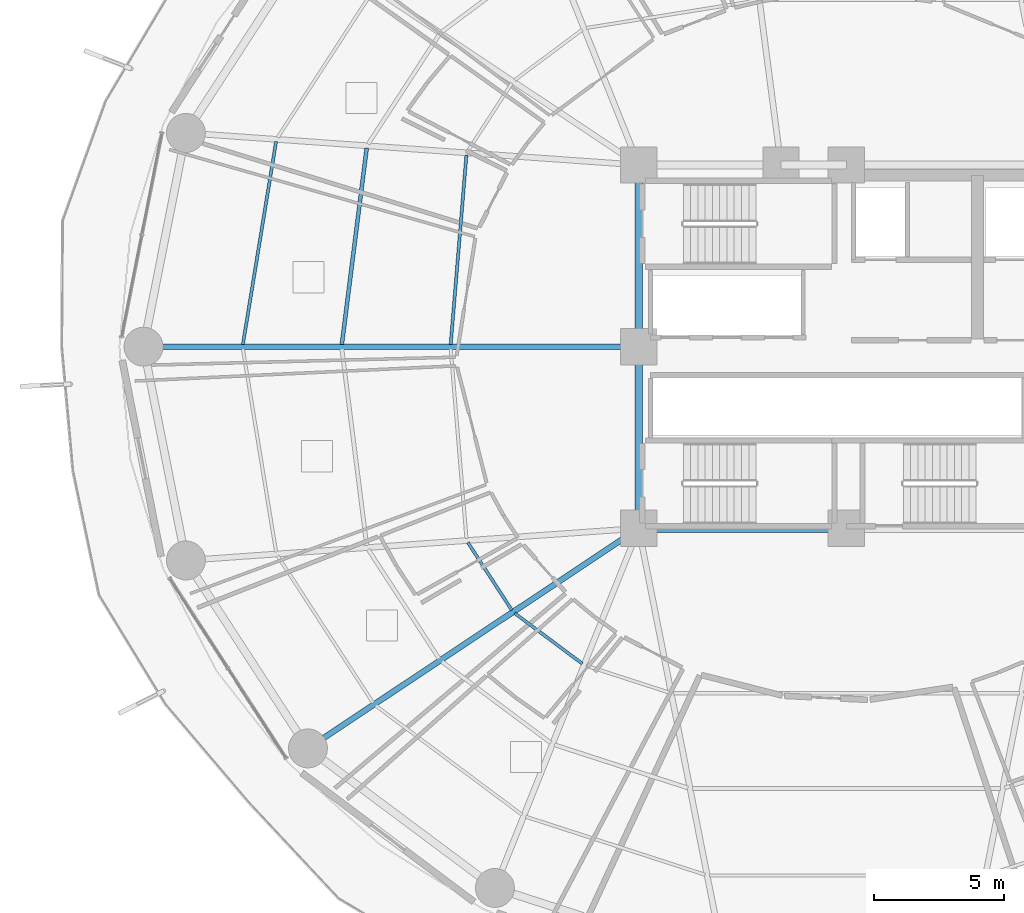
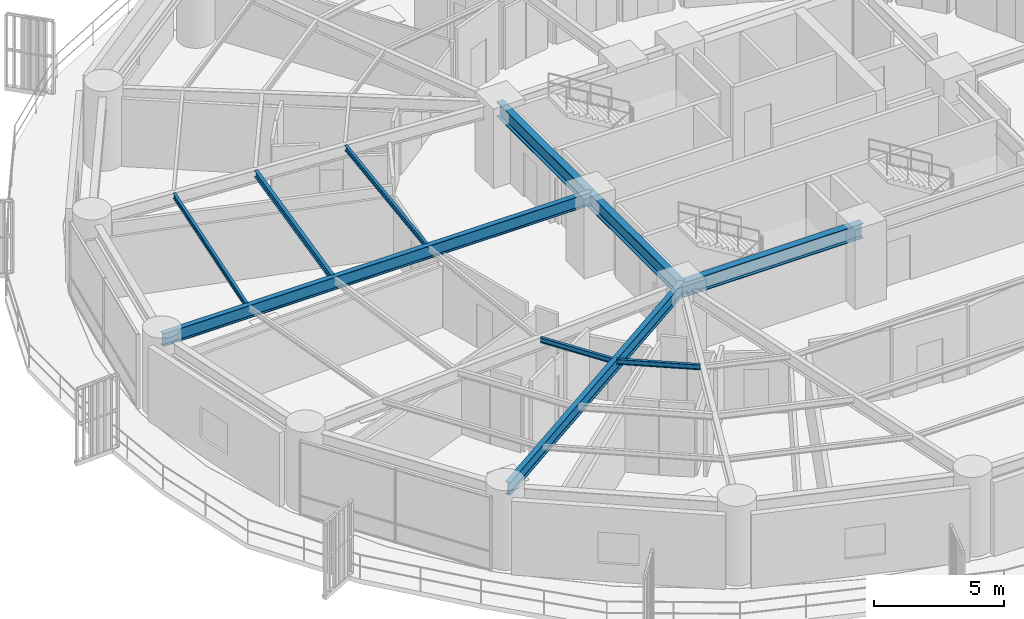
# One storey, part 7 of 33: 10 beams.
"""IFC4 building model written with IfcOpenShell, lengths in metres."""

from ifc_helpers import new_model, si_unit, direction, frame, origin, origin_2d, place, context, subcontext, project, spatial, i_section, extrude, material, material_profile, profile_set, type_object, element, save


model = new_model("IFC4")

# Units and contexts
model_context = context("Model", 3, precision=1e-05, world=origin(), true_north=direction((0.0, 1.0)))
body_context = subcontext(model_context, "Body", "Model", "MODEL_VIEW")
ifc_project = project(units=[si_unit("LENGTHUNIT", "METRE"), si_unit("AREAUNIT", "SQUARE_METRE"), si_unit("VOLUMEUNIT", "CUBIC_METRE"), si_unit("PLANEANGLEUNIT", "RADIAN"), si_unit("MASSUNIT", "GRAM", prefix="KILO")], contexts=[model_context])

# Site, building, storey
site_placement = place(None, origin())
site = spatial("IfcSite", under=ifc_project, at=site_placement, CompositionType="ELEMENT")
building_placement = place(site_placement, origin())
building = spatial("IfcBuilding", under=site, at=building_placement, Name="Kelanora Arch Commons", CompositionType="ELEMENT")
storey_placement = place(building_placement, frame((0.0, 0.0, 37.5)))
storey = spatial("IfcBuildingStorey", under=building, at=storey_placement, Name="L09", CompositionType="ELEMENT", Elevation=37.5)

# Beams
ifc_material = material(Name="Steel S355", Category="steel")
ifc_material_profile_1 = material_profile(ifc_material, i_section(OverallWidth=0.300048828125, OverallDepth=0.699951171875, WebThickness=0.01708984375, FlangeThickness=0.031982421875, FilletRadius=0.027099609375, at=origin_2d()), Name="HEB700")
ifc_profile_set_1 = profile_set([ifc_material_profile_1], Name="Steel S355")
beam_type_1 = type_object("IfcBeamType", Name="BM-CORE-HDR", PredefinedType="BEAM", material=ifc_profile_set_1)
beam_1_placement = place(storey_placement, frame((66.0, 51.0, 3.139892578125), z_axis=(1.0, 0.0, 0.0), x_axis=(0.0, 1.0, 0.0)))
element("IfcBeam", 1, at=beam_1_placement, inside=storey, type_object=beam_type_1, Name="Core Header Beam 01 L09", PredefinedType="BEAM", context=body_context, shape_type="SweptSolid", body=[
    extrude(i_section(OverallWidth=0.300048828125, OverallDepth=0.699951171875, WebThickness=0.01708984375, FlangeThickness=0.031982421875, FilletRadius=0.027099609375, at=origin_2d()), origin(), (0.0, 0.0, 1.0), 8.0),
])
for number, where, z_axis, x_axis, name in (
    (2, (66.0, 65.0, 3.139892578125), (0.0, -1.0, 0.0), (1.0, 0.0, 0.0), "Core Header Beam 08 L09"),
    (3, (66.0, 58.0, 3.139892578125), (0.0, -1.0, 0.0), (1.0, 0.0, 0.0), "Core Header Beam 09 L09"),
):
    element("IfcBeam", number, at=place(storey_placement, frame(where, z_axis=z_axis, x_axis=x_axis)), inside=storey, type_object=beam_type_1, Name=name, PredefinedType="BEAM", context=body_context, shape_type="SweptSolid", body=[
        extrude(i_section(OverallWidth=0.300048828125, OverallDepth=0.699951171875, WebThickness=0.01708984375, FlangeThickness=0.031982421875, FilletRadius=0.027099609375, at=origin_2d()), origin(), (0.0, 0.0, 1.0), 7.0),
    ])
ifc_material_profile_2 = material_profile(ifc_material, i_section(OverallWidth=0.14990234375, OverallDepth=0.300048828125, WebThickness=0.007080078125, FlangeThickness=0.0107421875, FilletRadius=0.014892578125, at=origin_2d()), Name="IPE300")
ifc_profile_set_2 = profile_set([ifc_material_profile_2], Name="Steel S355")
beam_type_2 = type_object("IfcBeamType", Name="BM-JST-01", PredefinedType="JOIST", material=ifc_profile_set_2)
beam_2_placement = place(storey_placement, frame((55.521240234375, 65.6572265625, 3.340087890625), z_axis=(-0.125565841651, -0.992085288375, 0.0), x_axis=(0.992085288375, -0.125565841651, 0.0)))
element("IfcBeam", 4, at=beam_2_placement, inside=storey, type_object=beam_type_2, Name="Secondary Chord Joist BJB-16 L09", PredefinedType="JOIST", context=body_context, shape_type="SweptSolid", body=[
    extrude(i_section(OverallWidth=0.14990234375, OverallDepth=0.300048828125, WebThickness=0.007080078125, FlangeThickness=0.0107421875, FilletRadius=0.014892578125, at=origin_2d()), origin(), (0.0, 0.0, 1.0), 7.63330078125),
])
ifc_material_profile_3 = material_profile(ifc_material, i_section(OverallWidth=0.1201171875, OverallDepth=0.239990234375, WebThickness=0.006103515625, FlangeThickness=0.009765625, FilletRadius=0.014892578125, at=origin_2d()), Name="IPE240")
ifc_profile_set_3 = profile_set([ifc_material_profile_3], Name="Steel S355")
beam_type_3 = type_object("IfcBeamType", Name="BM-JST-02", PredefinedType="JOIST", material=ifc_profile_set_3)
beam_3_placement = place(storey_placement, frame((59.363037109375, 65.385009765625, 3.3701171875), z_axis=(-0.082786209886, -0.996567330115, 0.0), x_axis=(0.996567330115, -0.082786209886, 0.0)))
element("IfcBeam", 5, at=beam_3_placement, inside=storey, type_object=beam_type_3, Name="Secondary Chord Joist BJA-16 L09", PredefinedType="JOIST", context=body_context, shape_type="SweptSolid", body=[
    extrude(i_section(OverallWidth=0.1201171875, OverallDepth=0.239990234375, WebThickness=0.006103515625, FlangeThickness=0.009765625, FilletRadius=0.014892578125, at=origin_2d()), origin(), (0.0, 0.0, 1.0), 7.325439453125),
])
beam_4_placement = place(storey_placement, frame((52.02880859375, 65.90478515625, 3.3701171875), z_axis=(-0.161400737199, -0.986888951216, 0.0), x_axis=(0.986888951216, -0.161400737199, 0.0)))
element("IfcBeam", 6, at=beam_4_placement, inside=storey, type_object=beam_type_3, Name="Secondary Chord Joist BJC-16 L09", PredefinedType="JOIST", context=body_context, shape_type="SweptSolid", body=[
    extrude(i_section(OverallWidth=0.1201171875, OverallDepth=0.239990234375, WebThickness=0.006103515625, FlangeThickness=0.009765625, FilletRadius=0.014892578125, at=origin_2d()), origin(), (0.0, 0.0, 1.0), 7.9248046875),
])
beam_5_placement = place(storey_placement, frame((59.41650390625, 50.458984375, 3.3701171875), z_axis=(0.544591105858, -0.838701691557, 0.0), x_axis=(0.838701691557, 0.544591105858, 0.0)))
element("IfcBeam", 7, at=beam_5_placement, inside=storey, type_object=beam_type_3, Name="Secondary Chord Joist BJA-20 L09", PredefinedType="JOIST", context=body_context, shape_type="SweptSolid", body=[
    extrude(i_section(OverallWidth=0.1201171875, OverallDepth=0.239990234375, WebThickness=0.006103515625, FlangeThickness=0.009765625, FilletRadius=0.014892578125, at=origin_2d()), origin(), (0.0, 0.0, 1.0), 3.111328125),
])
beam_6_placement = place(storey_placement, frame((61.22509765625, 47.727294921875, 3.3701171875), z_axis=(0.801513822608, -0.59797624716, 0.0), x_axis=(0.59797624716, 0.801513822608, 0.0)))
element("IfcBeam", 8, at=beam_6_placement, inside=storey, type_object=beam_type_3, Name="Secondary Chord Joist BJA-22 L09", PredefinedType="JOIST", context=body_context, shape_type="SweptSolid", body=[
    extrude(i_section(OverallWidth=0.1201171875, OverallDepth=0.239990234375, WebThickness=0.006103515625, FlangeThickness=0.009765625, FilletRadius=0.014892578125, at=origin_2d()), origin(), (0.0, 0.0, 1.0), 3.245849609375),
])
ifc_material_profile_4 = material_profile(ifc_material, i_section(OverallWidth=0.219970703125, OverallDepth=0.60009765625, WebThickness=0.011962890625, FlangeThickness=0.01904296875, FilletRadius=0.02392578125, at=origin_2d()), Name="IPE600")
ifc_profile_set_4 = profile_set([ifc_material_profile_4], Name="Steel S355")
beam_type_4 = type_object("IfcBeamType", Name="BM-RAD-Z1", PredefinedType="BEAM", material=ifc_profile_set_4)
beam_7_placement = place(storey_placement, frame((66.0, 58.0, 3.18994140625), z_axis=(-1.0, 0.0, 0.0), x_axis=(0.0, -1.0, 0.0)))
element("IfcBeam", 9, at=beam_7_placement, inside=storey, type_object=beam_type_4, Name="Radial Floor Girder BR-18 L09", PredefinedType="BEAM", context=body_context, shape_type="SweptSolid", body=[
    extrude(i_section(OverallWidth=0.219970703125, OverallDepth=0.60009765625, WebThickness=0.011962890625, FlangeThickness=0.01904296875, FilletRadius=0.02392578125, at=origin_2d()), origin(), (0.0, 0.0, 1.0), 19.080078125),
])
beam_8_placement = place(storey_placement, frame((66.0, 51.0, 3.18994140625), z_axis=(-0.832592623638, -0.553885839379, 0.0), x_axis=(0.553885839379, -0.832592623638, 0.0)))
element("IfcBeam", 10, at=beam_8_placement, inside=storey, type_object=beam_type_4, Name="Radial Floor Girder BR-22 L09", PredefinedType="BEAM", context=body_context, shape_type="SweptSolid", body=[
    extrude(i_section(OverallWidth=0.219970703125, OverallDepth=0.60009765625, WebThickness=0.011962890625, FlangeThickness=0.01904296875, FilletRadius=0.02392578125, at=origin_2d()), origin(), (0.0, 0.0, 1.0), 15.0869140625),
])

save(model, "model.ifc")
